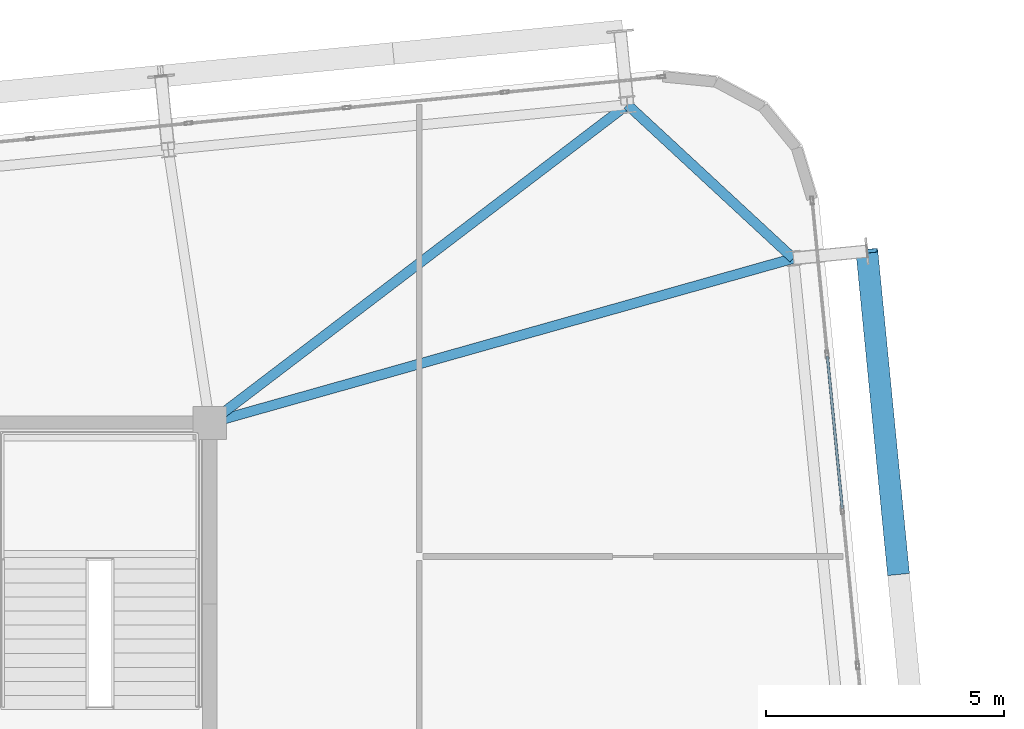
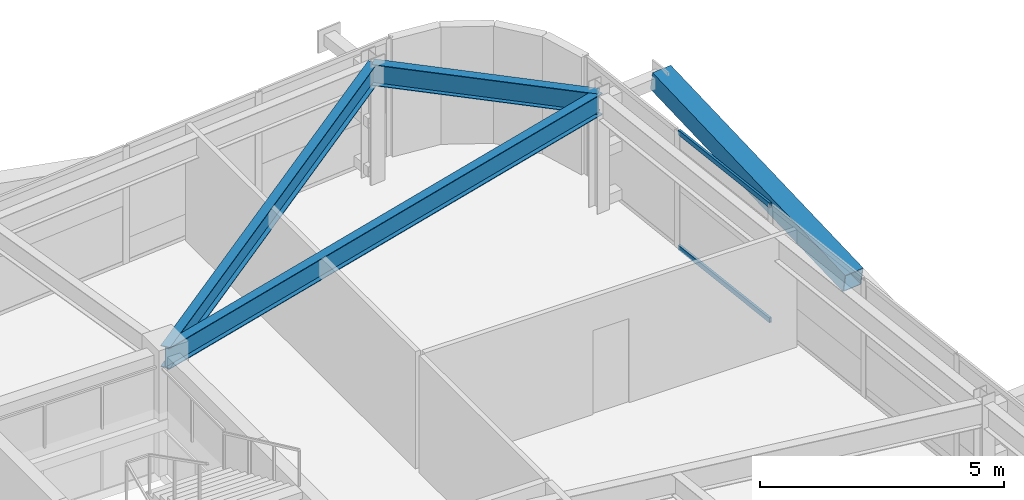
# One storey, part 34 of 54: 3 beams, 3 members, 1 element without a shape of its own.
"""IFC4 building model written with IfcOpenShell, lengths in metres."""

import ifcopenshell
import ifcopenshell.guid

model = None  # the IFC model being written
_history = None  # IfcOwnerHistory: only IFC2X3 demands one
_inside = {}  # id of a spatial element -> (the spatial element, [elements in it])
_under = {}  # id of a project, library or spatial element -> (it, [spatial elements below it])
_declared = {}  # id of a project -> (the project, [libraries it declares])
_typed = {}  # id of a type object -> (the type object, [elements of that type])
_made_of = {}  # id of a material, layer set ... -> (it, [elements and type objects made of it])


def new_model(schema):
    """Start an empty IFC model of exactly this schema.

    Asked for "IFC4X3", IfcOpenShell would pick the latest addendum, in which some entities
    have other attributes; the version numbers below select the first issue.
    IFC2X3 requires an IfcOwnerHistory on every rooted entity: one is made here for all.
    """
    global model, _history
    if schema == "IFC4X3":
        model = ifcopenshell.file(schema_version=(4, 3, 0, 0))
    else:
        model = ifcopenshell.file(schema=schema)
    _inside.clear()
    _under.clear()
    _declared.clear()
    _typed.clear()
    _made_of.clear()
    _history = None
    if model.schema == "IFC2X3":
        org = make("IfcOrganization", Name="unknown")
        user = make(
            "IfcPersonAndOrganization",
            ThePerson=make("IfcPerson", FamilyName="unknown"),
            TheOrganization=org,
        )
        app = make(
            "IfcApplication",
            ApplicationDeveloper=org,
            Version="unknown",
            ApplicationFullName="unknown",
            ApplicationIdentifier="unknown",
        )
        _history = make(
            "IfcOwnerHistory",
            OwningUser=user,
            OwningApplication=app,
            ChangeAction="ADDED",
            CreationDate=0,
        )
    return model


def make(cls, **values):
    """One entity of the class cls with the attributes given. An attribute that is None is left unset."""
    return model.create_entity(
        cls, **{name: value for name, value in values.items() if value is not None}
    )


def rooted(cls, **values):
    """An entity with a GlobalId (a new one), such as an element, a storey or a relation."""
    return make(cls, GlobalId=ifcopenshell.guid.new(), OwnerHistory=_history, **values)


def si_unit(unit_type, name, prefix=None):
    """IfcSIUnit, for example si_unit("LENGTHUNIT", "METRE", prefix="MILLI")."""
    return make("IfcSIUnit", UnitType=unit_type, Prefix=prefix, Name=name)


def assignment(units):
    """IfcUnitAssignment: the units of a project."""
    return None if units is None else make("IfcUnitAssignment", Units=units)


def point(xyz):
    """IfcCartesianPoint."""
    return None if xyz is None else make("IfcCartesianPoint", Coordinates=xyz)


def direction(xyz):
    """IfcDirection."""
    return None if xyz is None else make("IfcDirection", DirectionRatios=xyz)


def frame(location, z_axis=None, x_axis=None):
    """IfcAxis2Placement3D, a coordinate frame: its origin and axes. An axis left out is left unset."""
    return make(
        "IfcAxis2Placement3D",
        Location=point(location),
        Axis=direction(z_axis),
        RefDirection=direction(x_axis),
    )


def frame_2d(location, x_axis=None):
    """IfcAxis2Placement2D, a coordinate frame in the plane: its origin and x axis."""
    return make(
        "IfcAxis2Placement2D", Location=point(location), RefDirection=direction(x_axis)
    )


def origin():
    """The frame at (0, 0, 0) with its axes left unset."""
    return frame((0.0, 0.0, 0.0))


def origin_2d():
    """The frame at (0, 0) in the plane with its x axis left unset."""
    return frame_2d((0.0, 0.0))


def place(relative_to, where):
    """IfcLocalPlacement: puts the frame where relative to a parent placement (None: the world)."""
    return make(
        "IfcLocalPlacement", PlacementRelTo=relative_to, RelativePlacement=where
    )


def context(
    kind, dimensions, precision=None, world=None, true_north=None, identifier=None
):
    """IfcGeometricRepresentationContext, for example the 3D "Model" context."""
    return make(
        "IfcGeometricRepresentationContext",
        ContextIdentifier=identifier,
        ContextType=kind,
        CoordinateSpaceDimension=dimensions,
        Precision=precision,
        WorldCoordinateSystem=world,
        TrueNorth=true_north,
    )


def subcontext(parent, identifier, kind, view, scale=None):
    """IfcGeometricRepresentationSubContext, for example "Body" below "Model"."""
    return make(
        "IfcGeometricRepresentationSubContext",
        ContextIdentifier=identifier,
        ContextType=kind,
        ParentContext=parent,
        TargetScale=scale,
        TargetView=view,
    )


def project(units=None, contexts=None):
    """IfcProject with its units and contexts."""
    return rooted(
        "IfcProject",
        Name="project",
        RepresentationContexts=contexts,
        UnitsInContext=assignment(units),
    )


def spatial(cls, under=None, at=None, **own):
    """A site, building, storey or space (cls), placed at a placement, below another one or the project."""
    s = rooted(cls, ObjectPlacement=at, **own)
    if under is not None:
        _under.setdefault(under.id(), (under, []))[1].append(s)
    return s


def profile(cls, at=None, kind="AREA", **sizes):
    """A parametric profile (cls). Its sizes go by their IFC names, for example OverallWidth=200.0."""
    return make(cls, ProfileType=kind, Position=at, **sizes)


def hollow_rectangle(**sizes):
    """IfcRectangleHollowProfileDef."""
    return profile("IfcRectangleHollowProfileDef", **sizes)


def i_section(**sizes):
    """IfcIShapeProfileDef."""
    return profile("IfcIShapeProfileDef", **sizes)


def extrude(swept, where, along, depth):
    """IfcExtrudedAreaSolid: the profile swept, set in the frame where, extruded along a direction by depth."""
    return make(
        "IfcExtrudedAreaSolid",
        SweptArea=swept,
        Position=where,
        ExtrudedDirection=direction(along),
        Depth=depth,
    )


def shape(context_of_items, identifier, shape_type, items):
    """IfcShapeRepresentation: the items that make up one representation, for example the "Body"."""
    return make(
        "IfcShapeRepresentation",
        ContextOfItems=context_of_items,
        RepresentationIdentifier=identifier,
        RepresentationType=shape_type,
        Items=items,
    )


def source(mapping_origin, context_of_items, identifier, shape_type, items):
    """IfcRepresentationMap: a shape defined once, which mapped items show again and again."""
    return make(
        "IfcRepresentationMap",
        MappingOrigin=mapping_origin,
        MappedRepresentation=shape(context_of_items, identifier, shape_type, items),
    )


def transform(
    local_origin,
    x_axis=None,
    y_axis=None,
    z_axis=None,
    scale=None,
    scale2=None,
    scale3=None,
    uniform=True,
):
    """IfcCartesianTransformationOperator3D, or its non-uniform kind. x_axis, y_axis, z_axis: its Axis1, 2, 3."""
    if uniform:
        return make(
            "IfcCartesianTransformationOperator3D",
            Axis1=direction(x_axis),
            Axis2=direction(y_axis),
            LocalOrigin=point(local_origin),
            Scale=scale,
            Axis3=direction(z_axis),
        )
    return make(
        "IfcCartesianTransformationOperator3DnonUniform",
        Axis1=direction(x_axis),
        Axis2=direction(y_axis),
        LocalOrigin=point(local_origin),
        Scale=scale,
        Axis3=direction(z_axis),
        Scale2=scale2,
        Scale3=scale3,
    )


def mapped(mapping_source, mapping_target):
    """IfcMappedItem: shows the shape of a source again, moved by a transform."""
    return make(
        "IfcMappedItem", MappingSource=mapping_source, MappingTarget=mapping_target
    )


def material(Name=None, Category=None):
    """IfcMaterial."""
    return make("IfcMaterial", Name=Name, Category=Category)


def layer(
    of_material, thickness, ventilated=None, Name=None, Category=None, Priority=None
):
    """IfcMaterialLayer: one layer of a wall or slab, of a material (None: an air gap)."""
    return make(
        "IfcMaterialLayer",
        Material=of_material,
        LayerThickness=thickness,
        IsVentilated=ventilated,
        Name=Name,
        Category=Category,
        Priority=Priority,
    )


def layer_set(layers, Name=None):
    """IfcMaterialLayerSet."""
    return make("IfcMaterialLayerSet", MaterialLayers=layers, LayerSetName=Name)


def material_profile(
    of_material, cross_section, Name=None, Category=None, Priority=None
):
    """IfcMaterialProfile: a cross section and its material."""
    return make(
        "IfcMaterialProfile",
        Name=Name,
        Material=of_material,
        Profile=cross_section,
        Priority=Priority,
        Category=Category,
    )


def profile_set(profiles, Name=None, composite=None):
    """IfcMaterialProfileSet."""
    return make(
        "IfcMaterialProfileSet",
        Name=Name,
        MaterialProfiles=profiles,
        CompositeProfile=composite,
    )


def made_of(thing, what):
    """Note that an element or type object is made of a material, layer set ...; save() writes the relation."""
    if what is not None:
        _made_of.setdefault(what.id(), (what, []))[1].append(thing)
    return thing


def type_object(cls, material=None, **own):
    """A type object (cls), such as IfcWallType, which elements share."""
    return made_of(rooted(cls, **own), material)


def element(
    cls,
    number,
    at=None,
    inside=None,
    cuts=None,
    type_object=None,
    material=None,
    context=None,
    identifier="Body",
    shape_type=None,
    held_by="IfcProductDefinitionShape",
    body=None,
    shapes=None,
    **own,
):
    """One element of the class cls, such as IfcWall. Its Tag is "e" and its number.

    at: its placement. inside: the storey or other place that contains it. cuts: it is an
    opening in that element (IfcRelVoidsElement). A single representation is given by context,
    identifier, shape_type and body (its items); several are given by shapes. held_by: the class
    of the entity that holds the representations. save() writes the other relations.
    """
    e = rooted(cls, Tag="e%d" % number, ObjectPlacement=at, **own)
    if body is not None:
        shapes = [shape(context, identifier, shape_type, body)]
    if shapes is not None:
        e.Representation = make(held_by, Representations=shapes)
    if inside is not None:
        _inside.setdefault(inside.id(), (inside, []))[1].append(e)
    if cuts is not None:
        rooted(
            "IfcRelVoidsElement", RelatingBuildingElement=cuts, RelatedOpeningElement=e
        )
    if type_object is not None:
        _typed.setdefault(type_object.id(), (type_object, []))[1].append(e)
    return made_of(e, material)


def aggregate(whole, parts):
    """IfcRelAggregates: a whole, such as a stair, and the parts it consists of."""
    return rooted("IfcRelAggregates", RelatingObject=whole, RelatedObjects=parts)


def save(model, path):
    """Write the relations noted so far, then the file.

    IfcRelAggregates (storeys below a building ...), IfcRelContainedInSpatialStructure (elements
    in a storey), IfcRelDefinesByType, IfcRelAssociatesMaterial and IfcRelDeclares: one each for
    every whole, place, type object, material and project.
    """
    for whole, parts in _under.values():
        aggregate(whole, parts)
    for where, things in _inside.values():
        rooted(
            "IfcRelContainedInSpatialStructure",
            RelatedElements=things,
            RelatingStructure=where,
        )
    for kind, things in _typed.values():
        rooted("IfcRelDefinesByType", RelatedObjects=things, RelatingType=kind)
    for what, things in _made_of.values():
        rooted("IfcRelAssociatesMaterial", RelatedObjects=things, RelatingMaterial=what)
    for by, libraries in _declared.values():
        rooted("IfcRelDeclares", RelatingContext=by, RelatedDefinitions=libraries)
    model.write(path)


model = new_model("IFC4")

# Units and contexts
model_context = context("Model", 3, precision=1e-05, world=origin(), true_north=direction((0.0, 1.0)))
body_context = subcontext(model_context, "Body", "Model", "MODEL_VIEW")
ifc_project = project(units=[si_unit("LENGTHUNIT", "METRE"), si_unit("AREAUNIT", "SQUARE_METRE"), si_unit("VOLUMEUNIT", "CUBIC_METRE"), si_unit("PLANEANGLEUNIT", "RADIAN"), si_unit("MASSUNIT", "GRAM", prefix="KILO")], contexts=[model_context])

# Site, building, storey
site_placement = place(None, origin())
site = spatial("IfcSite", under=ifc_project, at=site_placement, CompositionType="ELEMENT")
building_placement = place(site_placement, origin())
building = spatial("IfcBuilding", under=site, at=building_placement, Name="Taldren Reach Tower", CompositionType="ELEMENT")
storey_placement = place(building_placement, frame((0.0, 0.0, 102.89990234375)))
storey = spatial("IfcBuildingStorey", under=building, at=storey_placement, Name="L31", CompositionType="ELEMENT", Elevation=102.89990234375)

# Beams
ifc_material_1 = material(Name="Steel Gr 350 (350PLUS)", Category="steel")
ifc_material_profile_1 = material_profile(ifc_material_1, i_section(OverallWidth=0.208984375, OverallDepth=0.528076171875, WebThickness=0.009521484375, FlangeThickness=0.01318359375, at=origin_2d()), Name="530UB82.0")
ifc_profile_set_1 = profile_set([ifc_material_profile_1], Name="Steel Gr 350 (350PLUS)")
beam_type_1 = type_object("IfcBeamType", Name="SP-UB530B", PredefinedType="SPANDREL", material=ifc_profile_set_1)
shared_shape_1 = source(origin(), body_context, "Body", "SweptSolid", [
    extrude(i_section(OverallWidth=0.208984375, OverallDepth=0.528076171875, WebThickness=0.009521484375, FlangeThickness=0.01318359375, at=origin_2d()), origin(), (0.0, 0.0, 1.0), 4.74609375),
])
beam_1_placement = place(storey_placement, frame((63.247314453125, 35.454345703125, 2.666015625), z_axis=(-0.733547883762, 0.679637772809, 0.0), x_axis=(-0.679637772809, -0.733547883762, 0.0)))
element("IfcBeam", 1, at=beam_1_placement, inside=storey, type_object=beam_type_1, Name="Perimeter spandrel B2 E3-N6 L31", PredefinedType="SPANDREL", context=body_context, shape_type="MappedRepresentation", body=[
    mapped(shared_shape_1, transform((0.0, 0.0, 0.0), scale=1.0)),
])
ifc_material_profile_2 = material_profile(ifc_material_1, i_section(OverallWidth=0.208984375, OverallDepth=0.532958984375, WebThickness=0.01025390625, FlangeThickness=0.015625, at=origin_2d()), Name="530UB92.4")
ifc_profile_set_2 = profile_set([ifc_material_profile_2], Name="Steel Gr 350 (350PLUS)")
beam_type_2 = type_object("IfcBeamType", Name="BM-UB530A", PredefinedType="BEAM", material=ifc_profile_set_2)
shared_shape_2 = source(origin(), body_context, "Body", "SweptSolid", [
    extrude(i_section(OverallWidth=0.208984375, OverallDepth=0.532958984375, WebThickness=0.01025390625, FlangeThickness=0.015625, at=origin_2d()), origin(), (0.0, 0.0, 1.0), 12.72509765625),
])
beam_2_placement = place(storey_placement, frame((51.0, 32.0, 2.66357421875), z_axis=(0.962450190096, 0.271458342264, 0.0), x_axis=(-0.271458342264, 0.962450190096, 0.0)))
element("IfcBeam", 2, at=beam_2_placement, inside=storey, type_object=beam_type_2, Name="Primary floor girder B2-E3 L31", PredefinedType="BEAM", context=body_context, shape_type="MappedRepresentation", body=[
    mapped(shared_shape_2, transform((0.0, 0.0, 0.0), scale=1.0)),
])
shared_shape_3 = source(origin(), body_context, "Body", "SweptSolid", [
    extrude(i_section(OverallWidth=0.208984375, OverallDepth=0.532958984375, WebThickness=0.01025390625, FlangeThickness=0.015625, at=origin_2d()), origin(), (0.0, 0.0, 1.0), 11.02099609375),
])
beam_3_placement = place(storey_placement, frame((51.0, 32.0, 2.66357421875), z_axis=(0.795380356763, 0.606110623629, 0.0), x_axis=(-0.606110623629, 0.795380356763, 0.0)))
element("IfcBeam", 3, at=beam_3_placement, inside=storey, type_object=beam_type_2, Name="Primary floor girder B2-N6 L31", PredefinedType="BEAM", context=body_context, shape_type="MappedRepresentation", body=[
    mapped(shared_shape_3, transform((0.0, 0.0, 0.0), scale=1.0)),
])

# Member
ifc_material_2 = material(Name="Steel Gr 450 (C450L0)", Category="steel")
ifc_material_profile_3 = material_profile(ifc_material_2, hollow_rectangle(XDim=0.4599609375, YDim=0.4599609375, WallThickness=0.01611328125, at=origin_2d()), Name="460x460x16.0SHS")
ifc_profile_set_3 = profile_set([ifc_material_profile_3], Name="Steel Gr 450 (C450L0)")
member_type_1 = type_object("IfcMemberType", Name="MB-EXO457", PredefinedType="BRACE", material=ifc_profile_set_3)
shared_shape_4 = source(origin(), body_context, "Body", "SweptSolid", [
    extrude(hollow_rectangle(XDim=0.4599609375, YDim=0.4599609375, WallThickness=0.01611328125, at=origin_2d()), origin(), (0.0, 0.0, 1.0), 6.883056640625),
])
member_1_placement = place(storey_placement, frame((65.450927734375, 28.86279296875, 1.43505859375), z_axis=(-0.09605145821, 0.97959718347, 0.176531797456), x_axis=(-0.995227290009, -0.097584021339, 0.0)))
element("IfcMember", 4, at=member_1_placement, inside=storey, type_object=member_type_1, Name="Exoskeleton Diagrid Brace B2-E2 L31", PredefinedType="BRACE", context=body_context, shape_type="MappedRepresentation", body=[
    mapped(shared_shape_4, transform((0.0, 0.0, 0.0), scale=1.0)),
])

# Curtain wall, members
ifc_material_3 = material(Name="Aluminium and Low-E Glass Unitised System", Category="aluminium")
ifc_layer = layer(ifc_material_3, 0.159912109375)
ifc_layer_set = layer_set([ifc_layer], Name="Aluminium and Low-E Glass Unitised System")
curtain_wall_type = type_object("IfcCurtainWallType", Name="CW-SYS-3", PredefinedType="NOTDEFINED", material=ifc_layer_set)
curtain_wall_placement = place(storey_placement, origin())
curtain_wall = element("IfcCurtainWall", 5, at=curtain_wall_placement, inside=storey, type_object=curtain_wall_type, Name="Unitised curtain wall CW-L31-E", PredefinedType="NOTDEFINED")
ifc_material_4 = material(Name="Anodised Aluminium 6063-T6", Category="aluminium")
ifc_material_profile_4 = material_profile(ifc_material_4, hollow_rectangle(XDim=0.054931640625, YDim=0.1201171875, WallThickness=0.0029296875, at=origin_2d()), Name="ALU-120x55x3RHS")
ifc_profile_set_4 = profile_set([ifc_material_profile_4], Name="Anodised Aluminium 6063-T6")
member_type_2 = type_object("IfcMemberType", Name="CW-TRN-135", PredefinedType="USERDEFINED", material=ifc_profile_set_4)
shared_shape_5 = source(origin(), body_context, "Body", "SweptSolid", [
    extrude(hollow_rectangle(XDim=0.054931640625, YDim=0.1201171875, WallThickness=0.0029296875, at=origin_2d()), origin(), (0.0, 0.0, 1.0), 3.212890625),
])
member_2_placement = place(storey_placement, frame((64.274169921875, 30.206298828125, 0.027587890625), z_axis=(-0.097569948235, 0.995228669805, 0.0), x_axis=(-0.995228669805, -0.097569948235, 0.0)))
member_2 = element("IfcMember", 6, at=member_2_placement, type_object=member_type_2, Name="CW-3 transom 8.1", ObjectType="TRANSOM", PredefinedType="USERDEFINED", context=body_context, shape_type="MappedRepresentation", body=[
    mapped(shared_shape_5, transform((0.0, 0.0, 0.0), scale=1.0)),
])
member_3_placement = place(storey_placement, frame((64.274169921875, 30.206298828125, 2.902587890625), z_axis=(-0.097569948235, 0.995228669805, 0.0), x_axis=(-0.995228669805, -0.097569948235, 0.0)))
member_3 = element("IfcMember", 7, at=member_3_placement, type_object=member_type_2, Name="CW-3 transom 8.2", ObjectType="TRANSOM", PredefinedType="USERDEFINED", context=body_context, shape_type="MappedRepresentation", body=[
    mapped(shared_shape_5, transform((0.0, 0.0, 0.0), scale=1.0)),
])
aggregate(curtain_wall, [member_2, member_3])

save(model, "model.ifc")
